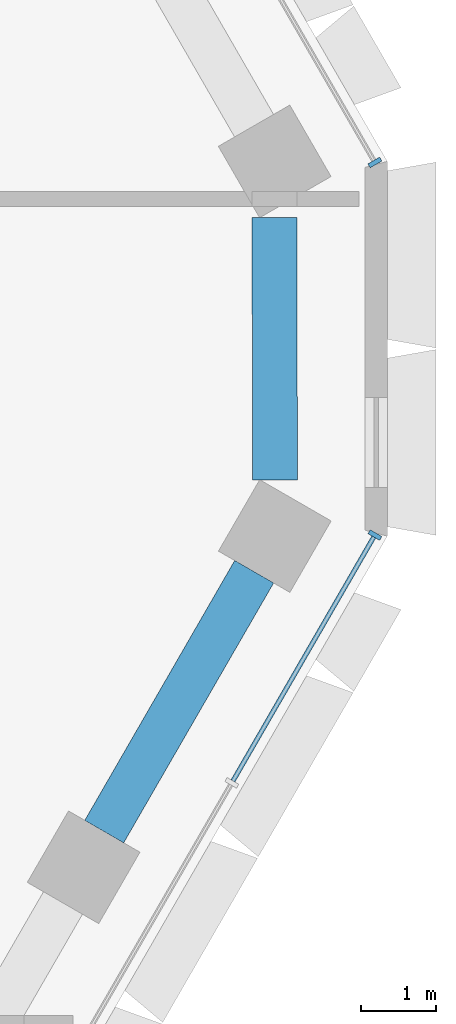
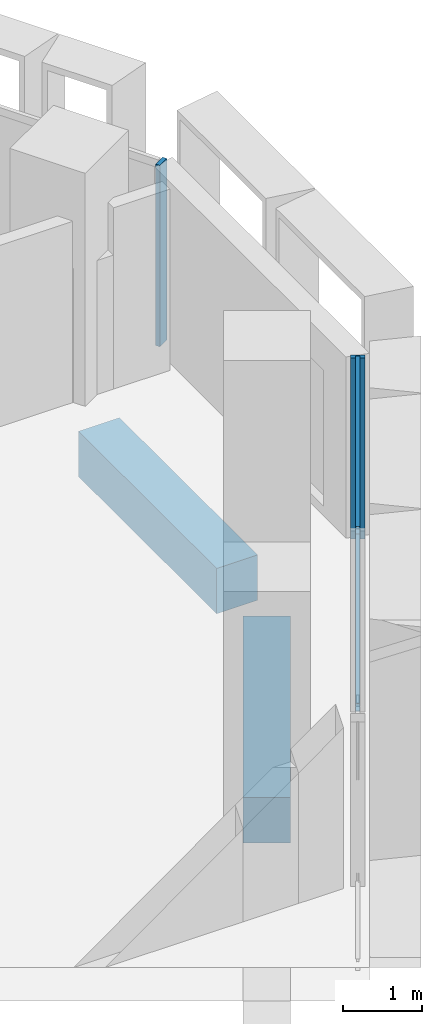
# One storey, part 5 of 21: 4 members, 2 beams, 2 elements without a shape of their own.
"""IFC4 building model written with IfcOpenShell, lengths in metres."""

from ifc_helpers import new_model, si_unit, direction, frame, origin, origin_2d, place, context, subcontext, project, spatial, rectangle, hollow_rectangle, extrude, material, material_profile, profile_set, type_object, element, aggregate, save


model = new_model("IFC4")

# Units and contexts
model_context = context("Model", 3, precision=1e-05, world=origin(), true_north=direction((0.0, 1.0)))
body_context = subcontext(model_context, "Body", "Model", "MODEL_VIEW")
ifc_project = project(units=[si_unit("LENGTHUNIT", "METRE"), si_unit("AREAUNIT", "SQUARE_METRE"), si_unit("VOLUMEUNIT", "CUBIC_METRE"), si_unit("PLANEANGLEUNIT", "RADIAN"), si_unit("MASSUNIT", "GRAM", prefix="KILO")], contexts=[model_context])

# Site, building, storey
site_placement = place(None, origin())
site = spatial("IfcSite", under=ifc_project, at=site_placement, CompositionType="ELEMENT")
building_placement = place(site_placement, origin())
building = spatial("IfcBuilding", under=site, at=building_placement, Name="Beryl Residences", CompositionType="ELEMENT")
storey_placement = place(building_placement, frame((0.0, 0.0, 19.800048828125)))
storey = spatial("IfcBuildingStorey", under=building, at=storey_placement, Name="L05", CompositionType="ELEMENT", Elevation=19.800048828125)

# Curtain wall, member
ifc_material_1 = material(Name="Aluminium and clear glass", Category="aluminium")
curtain_wall_type = type_object("IfcCurtainWallType", Name="CW2 amenity glazing glazed wall", PredefinedType="NOTDEFINED", material=ifc_material_1)
curtain_wall_1_placement = place(storey_placement, origin())
curtain_wall_1 = element("IfcCurtainWall", 1, at=curtain_wall_1_placement, inside=storey, type_object=curtain_wall_type, Name="CW2 L05 SE", PredefinedType="NOTDEFINED")
ifc_material_2 = material(Name="Aluminium", Category="aluminium")
ifc_material_profile_1 = material_profile(ifc_material_2, rectangle(XDim=0.06005859375, YDim=0.179931640625, at=origin_2d()))
ifc_profile_set_1 = profile_set([ifc_material_profile_1], Name="Aluminium")
member_type_1 = type_object("IfcMemberType", Name="CW2-M mullion 60 x 180 mm", PredefinedType="MULLION", material=ifc_profile_set_1)
member_1_placement = place(storey_placement, frame((31.18505859375, -2.486083984375, 0.0), z_axis=(0.0, 0.0, 1.0), x_axis=(0.500011643322, 0.866018681405, 0.0)))
member_1 = element("IfcMember", 2, at=member_1_placement, type_object=member_type_1, Name="CW2 mullion 8", PredefinedType="MULLION", context=body_context, shape_type="SweptSolid", body=[
    extrude(rectangle(XDim=0.06005859375, YDim=0.179931640625, at=origin_2d()), origin(), (0.0, 0.0, 1.0), 2.800048828125),
])

curtain_wall_2_placement = place(storey_placement, origin())
curtain_wall_2 = element("IfcCurtainWall", 3, at=curtain_wall_2_placement, inside=storey, type_object=curtain_wall_type, Name="CW2 L05 NE", PredefinedType="NOTDEFINED")
member_2_placement = place(storey_placement, frame((31.18505859375, 2.486083984375, 0.0), z_axis=(0.0, 0.0, 1.0), x_axis=(-0.500011643322, 0.866018681405, 0.0)))
member_2 = element("IfcMember", 4, at=member_2_placement, type_object=member_type_1, Name="CW2 mullion 1", PredefinedType="MULLION", context=body_context, shape_type="SweptSolid", body=[
    extrude(rectangle(XDim=0.06005859375, YDim=0.179931640625, at=origin_2d()), origin(), (0.0, 0.0, 1.0), 2.800048828125),
])
aggregate(curtain_wall_2, [member_2])

# Member
ifc_material_3 = material(Name="Aluminium", Category="aluminium")
ifc_material_profile_2 = material_profile(ifc_material_3, hollow_rectangle(XDim=0.06005859375, YDim=0.1201171875, WallThickness=0.00390625, at=origin_2d()))
ifc_profile_set_2 = profile_set([ifc_material_profile_2], Name="Aluminium")
member_type_2 = type_object("IfcMemberType", Name="CW2-T transom 60 x 120 mm", PredefinedType="USERDEFINED", material=ifc_profile_set_2)
member_3_placement = place(storey_placement, frame((29.290771484375, -5.766845703125, 0.030029296875), z_axis=(0.499988609959, 0.866031979728, 0.0), x_axis=(-0.866031979728, 0.499988609959, 0.0)))
member_3 = element("IfcMember", 5, at=member_3_placement, type_object=member_type_2, Name="CW2 transom 7.1", ObjectType="TRANSOM", PredefinedType="USERDEFINED", context=body_context, shape_type="SweptSolid", body=[
    extrude(hollow_rectangle(XDim=0.06005859375, YDim=0.1201171875, WallThickness=0.00390625, at=origin_2d()), origin(), (0.0, 0.0, 1.0), 3.75830078125),
])

member_4_placement = place(storey_placement, frame((29.290771484375, -5.766845703125, 2.77001953125), z_axis=(0.499988609959, 0.866031979728, 0.0), x_axis=(-0.866031979728, 0.499988609959, 0.0)))
member_4 = element("IfcMember", 6, at=member_4_placement, type_object=member_type_2, Name="CW2 transom 7.2", ObjectType="TRANSOM", PredefinedType="USERDEFINED", context=body_context, shape_type="SweptSolid", body=[
    extrude(hollow_rectangle(XDim=0.06005859375, YDim=0.1201171875, WallThickness=0.00390625, at=origin_2d()), origin(), (0.0, 0.0, 1.0), 3.75830078125),
])

aggregate(curtain_wall_1, [member_1, member_3, member_4])

# Beams
ifc_material_4 = material(Name="Concrete C80/95", Category="concrete")
ifc_material_profile_3 = material_profile(ifc_material_4, rectangle(XDim=0.60009765625, YDim=0.699951171875, at=origin_2d()))
ifc_profile_set_3 = profile_set([ifc_material_profile_3], Name="Concrete C80/95")
beam_type = type_object("IfcBeamType", Name="SB1 spandrel beam 600 x 700 C80/95", PredefinedType="SPANDREL", material=ifc_profile_set_3)
beam_1_placement = place(storey_placement, frame((27.572998046875, -6.443115234375, -0.699951171875), z_axis=(0.499759404093, 0.866164267342, 0.0), x_axis=(-0.866164267342, 0.499759404093, 0.0)))
element("IfcBeam", 7, at=beam_1_placement, inside=storey, type_object=beam_type, Name="SB1 L05 SE-4", PredefinedType="SPANDREL", context=body_context, shape_type="SweptSolid", body=[
    extrude(rectangle(XDim=0.60009765625, YDim=0.699951171875, at=origin_2d()), origin(), (0.0, 0.0, 1.0), 4.00390625),
])
beam_2_placement = place(storey_placement, frame((29.84912109375, -1.748046875, -0.699951171875), z_axis=(-0.000349064486, 0.999999939077, 0.0), x_axis=(-0.999999939077, -0.000349064486, 0.0)))
element("IfcBeam", 8, at=beam_2_placement, inside=storey, type_object=beam_type, Name="SB1 L05 SE-5", PredefinedType="SPANDREL", context=body_context, shape_type="SweptSolid", body=[
    extrude(rectangle(XDim=0.60009765625, YDim=0.699951171875, at=origin_2d()), origin(), (0.0, 0.0, 1.0), 3.4970703125),
])

save(model, "model.ifc")
